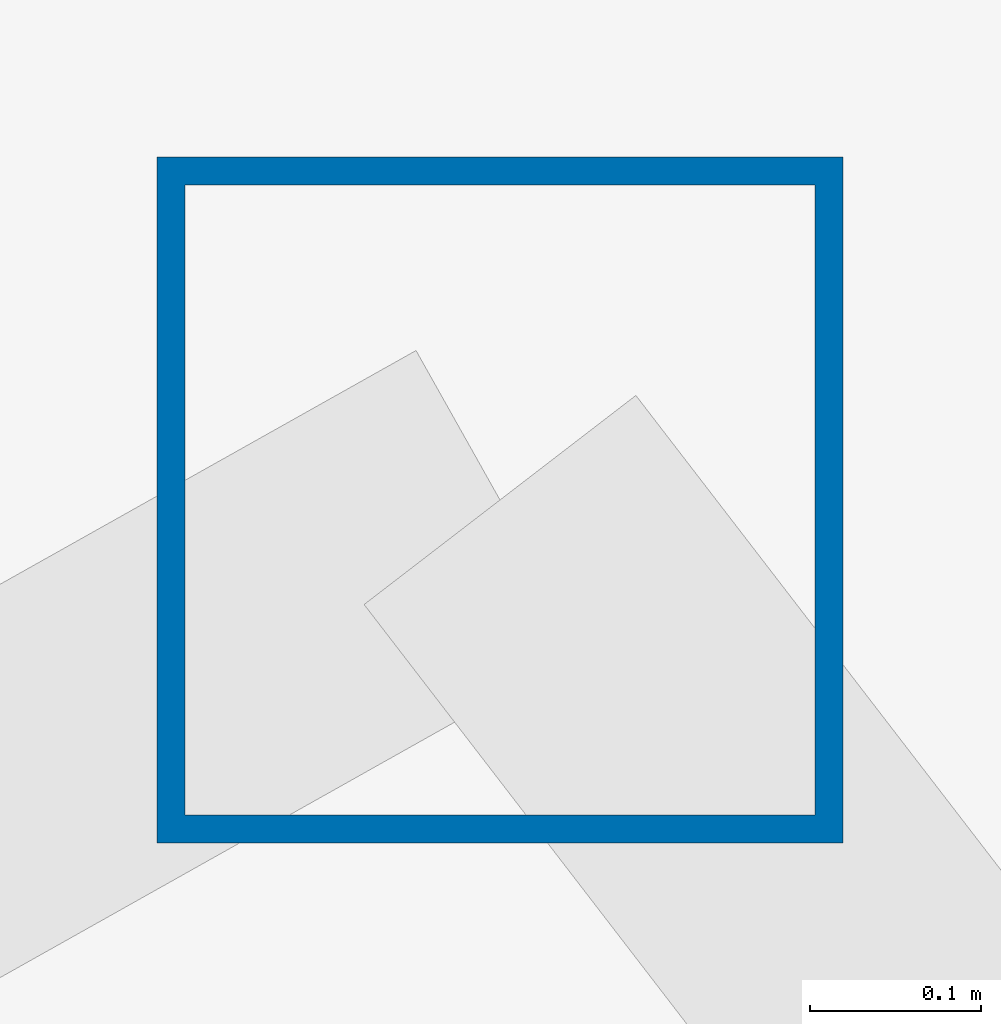
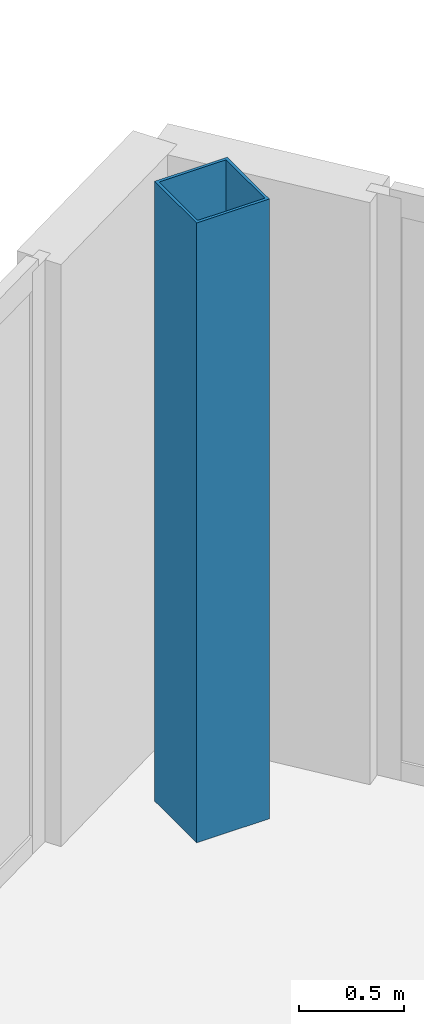
# One storey, part 2 of 25: 1 column.
"""IFC4 building model written with IfcOpenShell, lengths in metres."""

from ifc_helpers import new_model, si_unit, direction, frame, origin, origin_2d, place, context, subcontext, project, spatial, hollow_rectangle, extrude, source, transform, mapped, material, material_profile, profile_set, type_object, type_shapes, element, save


model = new_model("IFC4")

# Units and contexts
model_context = context("Model", 3, precision=1e-05, world=origin(), true_north=direction((0.0, 1.0)))
body_context = subcontext(model_context, "Body", "Model", "MODEL_VIEW")
ifc_project = project(units=[si_unit("LENGTHUNIT", "METRE"), si_unit("AREAUNIT", "SQUARE_METRE"), si_unit("VOLUMEUNIT", "CUBIC_METRE"), si_unit("PLANEANGLEUNIT", "RADIAN"), si_unit("MASSUNIT", "GRAM", prefix="KILO")], contexts=[model_context])

# Site, building, storey
site_placement = place(None, origin())
site = spatial("IfcSite", under=ifc_project, at=site_placement, CompositionType="ELEMENT")
building_placement = place(site_placement, origin())
building = spatial("IfcBuilding", under=site, at=building_placement, Name="Seokmaru Belvedere", CompositionType="ELEMENT")
storey_placement = place(building_placement, frame((0.0, 0.0, 210.300048828125)))
storey = spatial("IfcBuildingStorey", under=building, at=storey_placement, Name="L56", CompositionType="ELEMENT", Elevation=210.300048828125)

# Column
ifc_material = material(Name="Steel SM355 (355 MPa)", Category="steel")
ifc_material_profile = material_profile(ifc_material, hollow_rectangle(XDim=0.39990234375, YDim=0.39990234375, WallThickness=0.01611328125, at=origin_2d()), Name="HSS-400x400x16")
ifc_profile_set = profile_set([ifc_material_profile], Name="Steel SM355 (355 MPa)")
column_type = type_object("IfcColumnType", Name="Perimeter Facet Column HSS-400", PredefinedType="COLUMN", material=ifc_profile_set)
shared_shape = source(origin(), body_context, "Body", "SweptSolid", [
    extrude(hollow_rectangle(XDim=0.39990234375, YDim=0.39990234375, WallThickness=0.01611328125, at=origin_2d()), origin(), (0.0, 0.0, 1.0), 3.599853515625),
])
type_shapes(column_type, [shared_shape])
column_placement = place(storey_placement, frame((-32.649658203125, 21.71044921875, 0.0), z_axis=(0.0, 0.0, 1.0), x_axis=(1.0, 0.0, 0.0)))
element("IfcColumn", 1, at=column_placement, inside=storey, type_object=column_type, Name="L56 Column WF3", PredefinedType="COLUMN", context=body_context, shape_type="MappedRepresentation", body=[
    mapped(shared_shape, transform((0.0, 0.0, 0.0), scale=1.0)),
])

save(model, "model.ifc")
